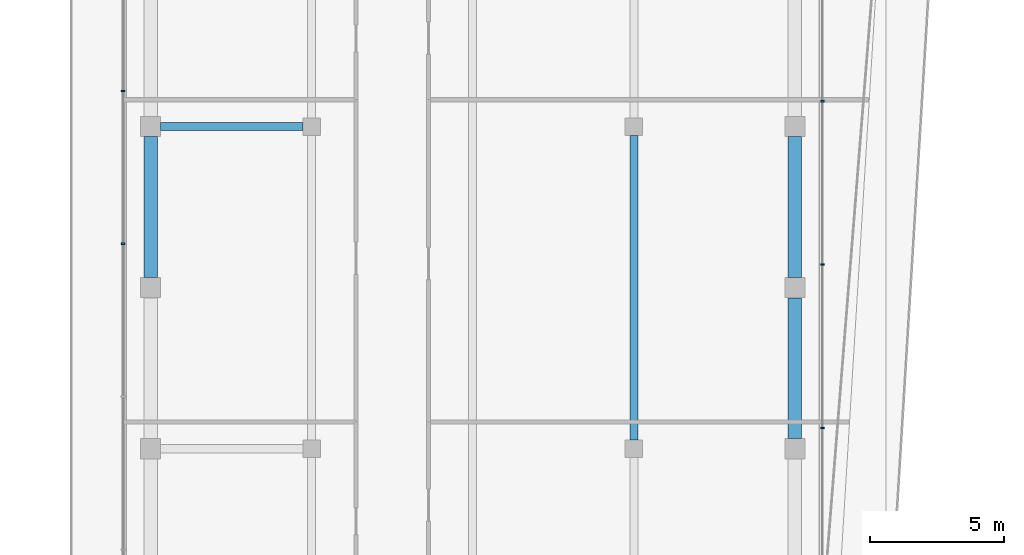
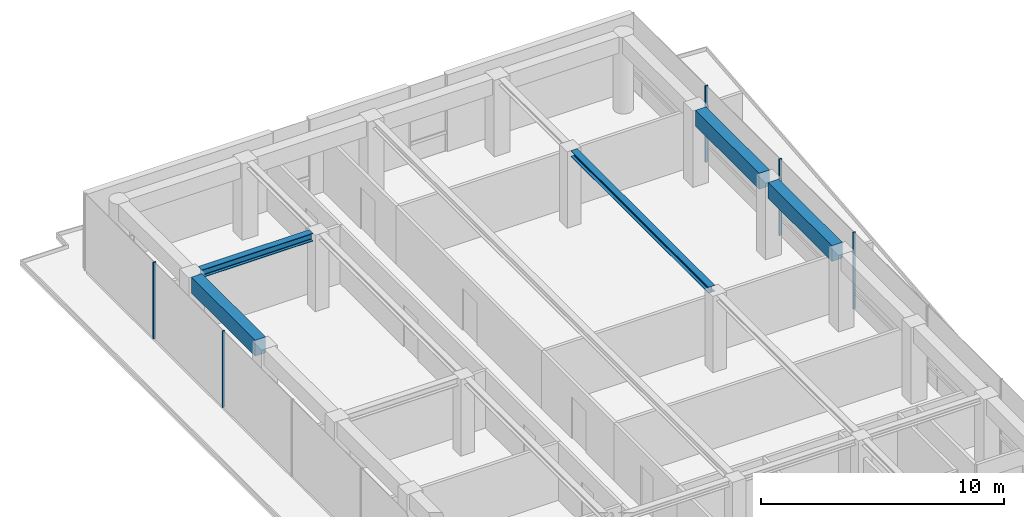
# One storey, part 11 of 18: 5 beams, 5 members, 2 elements without a shape of their own.
"""IFC4 building model written with IfcOpenShell, lengths in metres."""

from ifc_helpers import new_model, si_unit, direction, frame, origin, origin_2d, place, context, subcontext, project, spatial, rectangle, i_section, extrude, material, layer, layer_set, material_profile, profile_set, type_object, element, aggregate, save


model = new_model("IFC4")

# Units and contexts
model_context = context("Model", 3, precision=1e-05, world=origin(), true_north=direction((0.0, 1.0)))
body_context = subcontext(model_context, "Body", "Model", "MODEL_VIEW")
ifc_project = project(units=[si_unit("LENGTHUNIT", "METRE"), si_unit("AREAUNIT", "SQUARE_METRE"), si_unit("VOLUMEUNIT", "CUBIC_METRE"), si_unit("PLANEANGLEUNIT", "RADIAN"), si_unit("MASSUNIT", "GRAM", prefix="KILO")], contexts=[model_context])

# Site, building, storey
site_placement = place(None, origin())
site = spatial("IfcSite", under=ifc_project, at=site_placement, CompositionType="ELEMENT")
building_placement = place(site_placement, origin())
building = spatial("IfcBuilding", under=site, at=building_placement, Name="Welwitschia Terrace Campus", CompositionType="ELEMENT")
storey_placement = place(building_placement, frame((0.0, 0.0, 272.60009765625)))
storey = spatial("IfcBuildingStorey", under=building, at=storey_placement, Name="L60", CompositionType="ELEMENT", Elevation=272.60009765625)

# Beam
ifc_material_1 = material(Name="Steel S355", Category="steel")
ifc_material_profile_1 = material_profile(ifc_material_1, i_section(OverallWidth=0.300048828125, OverallDepth=0.300048828125, WebThickness=0.010986328125, FlangeThickness=0.01904296875, FilletRadius=0.027099609375, at=origin_2d()))
ifc_profile_set_1 = profile_set([ifc_material_profile_1], Name="Steel S355")
beam_type_1 = type_object("IfcBeamType", Name="Interior girder HE 300 B", PredefinedType="BEAM", material=ifc_profile_set_1)
beam_1_placement = place(storey_placement, frame((18.0, 44.325439453125, 3.699951171875), z_axis=(0.0, 1.0, 0.0), x_axis=(-1.0, 0.0, 0.0)))
element("IfcBeam", 1, at=beam_1_placement, inside=storey, type_object=beam_type_1, Name="Girder GB6", PredefinedType="BEAM", context=body_context, shape_type="SweptSolid", body=[
    extrude(i_section(OverallWidth=0.300048828125, OverallDepth=0.300048828125, WebThickness=0.010986328125, FlangeThickness=0.01904296875, FilletRadius=0.027099609375, at=origin_2d()), origin(), (0.0, 0.0, 1.0), 11.34912109375),
])

# Curtain wall, members
ifc_material_2 = material(Name="Bronze anodised aluminium", Category="aluminium")
ifc_layer = layer(ifc_material_2, 0.1201171875)
ifc_layer_set = layer_set([ifc_layer], Name="Bronze anodised aluminium")
curtain_wall_type = type_object("IfcCurtainWallType", Name="Curtain wall CW2 tower 6000", PredefinedType="NOTDEFINED", material=ifc_layer_set)
curtain_wall_1_placement = place(storey_placement, origin())
curtain_wall_1 = element("IfcCurtainWall", 2, at=curtain_wall_1_placement, inside=storey, type_object=curtain_wall_type, Name="CW L60.7.0", PredefinedType="NOTDEFINED")
ifc_material_3 = material(Name="Bronze anodised aluminium", Category="aluminium")
ifc_material_profile_2 = material_profile(ifc_material_3, rectangle(XDim=0.1201171875, YDim=0.06005859375, at=origin_2d()))
ifc_profile_set_2 = profile_set([ifc_material_profile_2], Name="Bronze anodised aluminium")
member_type = type_object("IfcMemberType", Name="Mullion 60x120", PredefinedType="MULLION", material=ifc_profile_set_2)
member_1_placement = place(storey_placement, frame((25.030029296875, 44.771484375, 0.0), z_axis=(0.0, 0.0, 1.0), x_axis=(-1.0, 0.0, 0.0)))
member_1 = element("IfcMember", 3, at=member_1_placement, type_object=member_type, Name="Mullion L60.7.0.4", PredefinedType="MULLION", context=body_context, shape_type="SweptSolid", body=[
    extrude(rectangle(XDim=0.1201171875, YDim=0.06005859375, at=origin_2d()), origin(), (0.0, 0.0, 1.0), 3.849853515625),
])
member_2_placement = place(storey_placement, frame((25.030029296875, 50.857666015625, 0.0), z_axis=(0.0, 0.0, 1.0), x_axis=(-1.0, 0.0, 0.0)))
member_2 = element("IfcMember", 4, at=member_2_placement, type_object=member_type, Name="Mullion L60.7.0.5", PredefinedType="MULLION", context=body_context, shape_type="SweptSolid", body=[
    extrude(rectangle(XDim=0.1201171875, YDim=0.06005859375, at=origin_2d()), origin(), (0.0, 0.0, 1.0), 3.849853515625),
])
member_3_placement = place(storey_placement, frame((25.030029296875, 56.94384765625, 0.0), z_axis=(0.0, 0.0, 1.0), x_axis=(-1.0, 0.0, 0.0)))
member_3 = element("IfcMember", 5, at=member_3_placement, type_object=member_type, Name="Mullion L60.7.0.6", PredefinedType="MULLION", context=body_context, shape_type="SweptSolid", body=[
    extrude(rectangle(XDim=0.1201171875, YDim=0.06005859375, at=origin_2d()), origin(), (0.0, 0.0, 1.0), 3.849853515625),
])
aggregate(curtain_wall_1, [member_1, member_2, member_3])

curtain_wall_2_placement = place(storey_placement, origin())
curtain_wall_2 = element("IfcCurtainWall", 6, at=curtain_wall_2_placement, inside=storey, type_object=curtain_wall_type, Name="CW L60.9.0", PredefinedType="NOTDEFINED")
member_4_placement = place(storey_placement, frame((-1.030029296875, 57.332763671875, 0.0), z_axis=(0.0, 0.0, 1.0), x_axis=(1.0, 0.0, 0.0)))
member_4 = element("IfcMember", 7, at=member_4_placement, type_object=member_type, Name="Mullion L60.9.0.1", PredefinedType="MULLION", context=body_context, shape_type="SweptSolid", body=[
    extrude(rectangle(XDim=0.1201171875, YDim=0.06005859375, at=origin_2d()), origin(), (0.0, 0.0, 1.0), 3.849853515625),
])
member_5_placement = place(storey_placement, frame((-1.030029296875, 51.635498046875, 0.0), z_axis=(0.0, 0.0, 1.0), x_axis=(1.0, 0.0, 0.0)))
member_5 = element("IfcMember", 8, at=member_5_placement, type_object=member_type, Name="Mullion L60.9.0.2", PredefinedType="MULLION", context=body_context, shape_type="SweptSolid", body=[
    extrude(rectangle(XDim=0.1201171875, YDim=0.06005859375, at=origin_2d()), origin(), (0.0, 0.0, 1.0), 3.849853515625),
])
aggregate(curtain_wall_2, [member_4, member_5])

# Beams
ifc_material_4 = material(Name="Steel S355", Category="steel")
ifc_material_profile_3 = material_profile(ifc_material_4, i_section(OverallWidth=0.300048828125, OverallDepth=0.39990234375, WebThickness=0.013427734375, FlangeThickness=0.02392578125, FilletRadius=0.027099609375, at=origin_2d()))
ifc_profile_set_3 = profile_set([ifc_material_profile_3], Name="Steel S355")
beam_type_2 = type_object("IfcBeamType", Name="Primary beam HE 400 B", PredefinedType="BEAM", material=ifc_profile_set_3)
beam_2_placement = place(storey_placement, frame((0.37548828125, 56.0, 3.64990234375), z_axis=(1.0, 0.0, 0.0), x_axis=(0.0, 1.0, 0.0)))
element("IfcBeam", 9, at=beam_2_placement, inside=storey, type_object=beam_type_2, Name="Primary beam PB6", PredefinedType="BEAM", context=body_context, shape_type="SweptSolid", body=[
    extrude(i_section(OverallWidth=0.300048828125, OverallDepth=0.39990234375, WebThickness=0.013427734375, FlangeThickness=0.02392578125, FilletRadius=0.027099609375, at=origin_2d()), origin(), (0.0, 0.0, 1.0), 5.299072265625),
])
ifc_material_5 = material(Name="Concrete C50/60", Category="concrete")
ifc_material_profile_4 = material_profile(ifc_material_5, rectangle(XDim=0.5, YDim=0.800048828125, at=origin_2d()))
ifc_profile_set_4 = profile_set([ifc_material_profile_4], Name="Concrete C50/60")
beam_type_3 = type_object("IfcBeamType", Name="Ring spandrel 500x800", PredefinedType="SPANDREL", material=ifc_profile_set_4)
for number, where, z_axis, x_axis, name in (
    (10, (24.0, 44.37548828125, 3.449951171875), (0.0, 1.0, 0.0), (-1.0, 0.0, 0.0), "Spandrel SP4"),
    (11, (24.0, 50.37548828125, 3.449951171875), (0.0, 1.0, 0.0), (-1.0, 0.0, 0.0), "Spandrel SP4"),
    (12, (0.0, 55.62451171875, 3.449951171875), (0.0, -1.0, 0.0), (1.0, 0.0, 0.0), "Spandrel SP4"),
):
    element("IfcBeam", number, at=place(storey_placement, frame(where, z_axis=z_axis, x_axis=x_axis)), inside=storey, type_object=beam_type_3, Name=name, PredefinedType="SPANDREL", context=body_context, shape_type="SweptSolid", body=[
        extrude(rectangle(XDim=0.5, YDim=0.800048828125, at=origin_2d()), origin(), (0.0, 0.0, 1.0), 5.2490234375),
    ])

save(model, "model.ifc")
